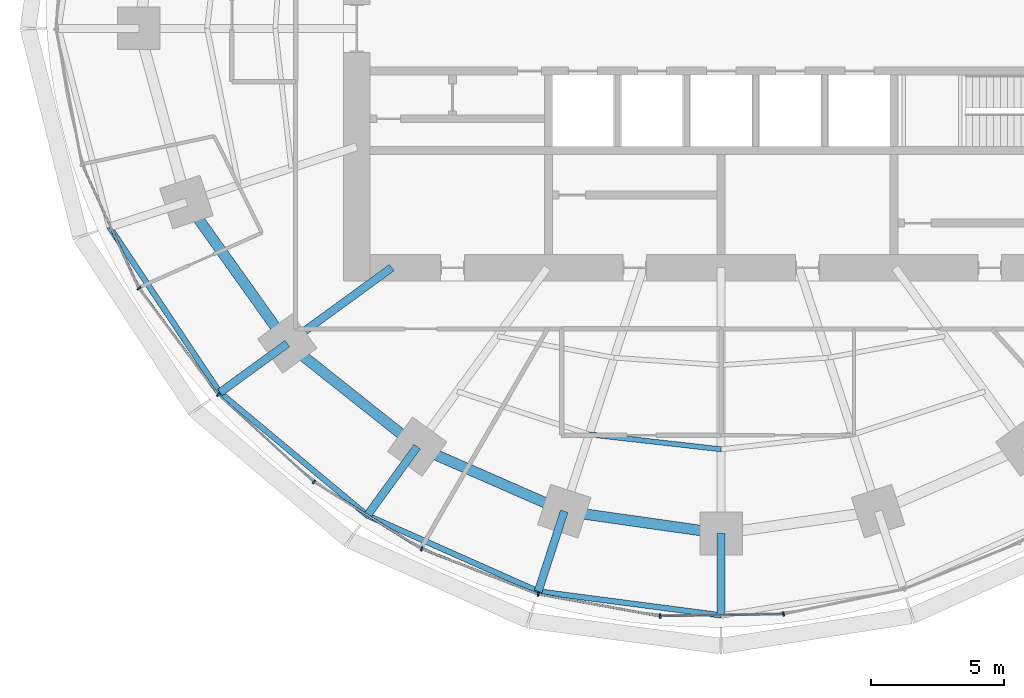
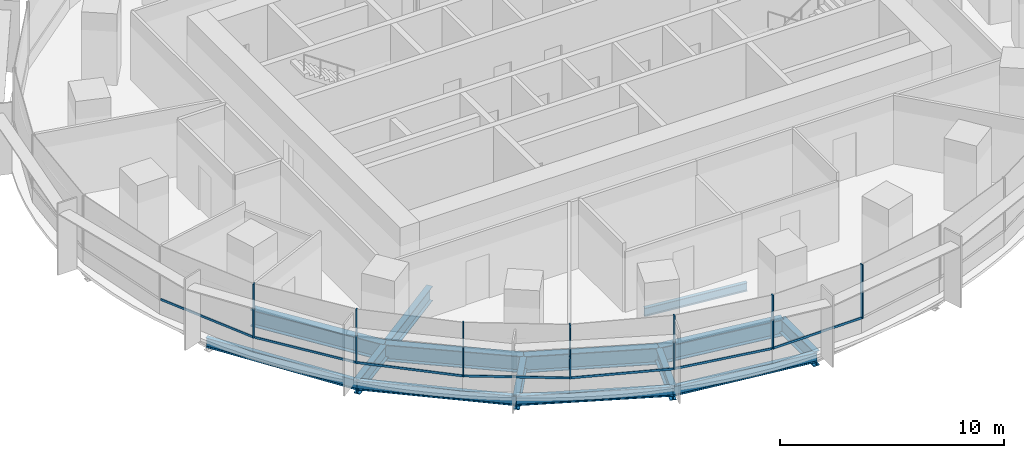
# One storey, part 2 of 14: 14 beams, 14 members, 2 elements without a shape of their own.
"""IFC4 building model written with IfcOpenShell, lengths in metres."""

from ifc_helpers import new_model, si_unit, direction, frame, origin, origin_2d, place, context, subcontext, project, spatial, rectangle, i_section, extrude, material, material_profile, profile_set, type_object, element, aggregate, save


model = new_model("IFC4")

# Units and contexts
model_context = context("Model", 3, precision=1e-05, world=origin(), true_north=direction((0.0, 1.0)))
body_context = subcontext(model_context, "Body", "Model", "MODEL_VIEW")
ifc_project = project(units=[si_unit("LENGTHUNIT", "METRE"), si_unit("AREAUNIT", "SQUARE_METRE"), si_unit("VOLUMEUNIT", "CUBIC_METRE"), si_unit("PLANEANGLEUNIT", "RADIAN"), si_unit("MASSUNIT", "GRAM", prefix="KILO")], contexts=[model_context])

# Site, building, storey
site_placement = place(None, origin())
site = spatial("IfcSite", under=ifc_project, at=site_placement, CompositionType="ELEMENT")
building_placement = place(site_placement, origin())
building = spatial("IfcBuilding", under=site, at=building_placement, Name="Marramba Exchange Tower", CompositionType="ELEMENT")
storey_placement = place(building_placement, frame((0.0, 0.0, 119.699951171875)))
storey = spatial("IfcBuildingStorey", under=building, at=storey_placement, Name="L28", CompositionType="ELEMENT", Elevation=119.699951171875)

# Beams
ifc_material_1 = material(Name="Steel AS/NZS 3679.2 grade 300", Category="steel")
ifc_material_profile_1 = material_profile(ifc_material_1, i_section(OverallWidth=0.300048828125, OverallDepth=0.800048828125, WebThickness=0.013916015625, FlangeThickness=0.031982421875, at=origin_2d()), Name="800WB192")
ifc_profile_set_1 = profile_set([ifc_material_profile_1], Name="Steel AS/NZS 3679.2 grade 300")
beam_type_1 = type_object("IfcBeamType", Name="Cantilever girder 800WB192", PredefinedType="BEAM", material=ifc_profile_set_1)
beam_1_placement = place(storey_placement, frame((-16.3154296875, -11.853759765625, -0.56005859375), z_axis=(-0.809025813822, -0.587773113173, 0.0), x_axis=(0.587773113173, -0.809025813822, 0.0)))
element("IfcBeam", 1, at=beam_1_placement, inside=storey, type_object=beam_type_1, Name="Cantilever girder L28 TC13", PredefinedType="BEAM", context=body_context, shape_type="SweptSolid", body=[
    extrude(i_section(OverallWidth=0.300048828125, OverallDepth=0.800048828125, WebThickness=0.013916015625, FlangeThickness=0.031982421875, at=origin_2d()), origin(), (0.0, 0.0, 1.0), 3.132568359375),
])
beam_2_placement = place(storey_placement, frame((-11.430419921875, -15.732666015625, -0.56005859375), z_axis=(-0.587767308424, -0.809030031054, 0.0), x_axis=(0.809030031054, -0.587767308424, 0.0)))
element("IfcBeam", 2, at=beam_2_placement, inside=storey, type_object=beam_type_1, Name="Cantilever girder L28 TC14", PredefinedType="BEAM", context=body_context, shape_type="SweptSolid", body=[
    extrude(i_section(OverallWidth=0.300048828125, OverallDepth=0.800048828125, WebThickness=0.013916015625, FlangeThickness=0.031982421875, at=origin_2d()), origin(), (0.0, 0.0, 1.0), 3.195556640625),
])
beam_3_placement = place(storey_placement, frame((-5.899658203125, -18.156982421875, -0.56005859375), z_axis=(-0.309018232614, -0.951056113966, 0.0), x_axis=(0.951056113966, -0.309018232614, 0.0)))
element("IfcBeam", 3, at=beam_3_placement, inside=storey, type_object=beam_type_1, Name="Cantilever girder L28 TC15", PredefinedType="BEAM", context=body_context, shape_type="SweptSolid", body=[
    extrude(i_section(OverallWidth=0.300048828125, OverallDepth=0.800048828125, WebThickness=0.013916015625, FlangeThickness=0.031982421875, at=origin_2d()), origin(), (0.0, 0.0, 1.0), 3.173583984375),
])
beam_4_placement = place(storey_placement, frame((0.0, -18.99609375, -0.56005859375), z_axis=(0.0, -1.0, 0.0), x_axis=(1.0, 0.0, 0.0)))
element("IfcBeam", 4, at=beam_4_placement, inside=storey, type_object=beam_type_1, Name="Cantilever girder L28 TC16", PredefinedType="BEAM", context=body_context, shape_type="SweptSolid", body=[
    extrude(i_section(OverallWidth=0.300048828125, OverallDepth=0.800048828125, WebThickness=0.013916015625, FlangeThickness=0.031982421875, at=origin_2d()), origin(), (0.0, 0.0, 1.0), 3.080810546875),
])
ifc_material_2 = material(Name="Steel AS/NZS 3679.1 grade 300", Category="steel")
ifc_material_profile_2 = material_profile(ifc_material_2, i_section(OverallWidth=0.18994140625, OverallDepth=0.4541015625, WebThickness=0.008544921875, FlangeThickness=0.0126953125, FilletRadius=0.011474609375, at=origin_2d()), Name="460UB67.1")
ifc_profile_set_2 = profile_set([ifc_material_profile_2], Name="Steel AS/NZS 3679.1 grade 300")
beam_type_2 = type_object("IfcBeamType", Name="Floor joist 460UB67.1", PredefinedType="JOIST", material=ifc_profile_set_2)
beam_5_placement = place(storey_placement, frame((-4.9619140625, -15.271484375, -0.386962890625), z_axis=(0.993712018573, -0.111966174106, 0.0), x_axis=(0.111966174106, 0.993712018573, 0.0)))
element("IfcBeam", 5, at=beam_5_placement, inside=storey, type_object=beam_type_2, Name="Joist L28 bay 15 row 2", PredefinedType="JOIST", context=body_context, shape_type="SweptSolid", body=[
    extrude(i_section(OverallWidth=0.18994140625, OverallDepth=0.4541015625, WebThickness=0.008544921875, FlangeThickness=0.0126953125, FilletRadius=0.011474609375, at=origin_2d()), origin(), (0.0, 0.0, 1.0), 4.993408203125),
])

# Curtain wall, members
ifc_material_3 = material(Name="Aluminium framing, bronze anodised", Category="aluminium")
curtain_wall_type = type_object("IfcCurtainWallType", Name="Office ribbon curtain wall", PredefinedType="USERDEFINED", material=ifc_material_3)
curtain_wall_1_placement = place(storey_placement, origin())
curtain_wall_1 = element("IfcCurtainWall", 6, at=curtain_wall_1_placement, inside=storey, type_object=curtain_wall_type, Name="Curtain wall CW4 L28 F16-F20", ObjectType="RIBBON CURTAIN WALL", PredefinedType="USERDEFINED")
ifc_material_4 = material(Name="Aluminium mullion, bronze anodised", Category="aluminium")
ifc_material_profile_3 = material_profile(ifc_material_4, rectangle(XDim=0.159912109375, YDim=0.06005859375, at=origin_2d()), Name="CW4 mullion 60x160")
ifc_profile_set_3 = profile_set([ifc_material_profile_3], Name="Aluminium mullion, bronze anodised")
member_type_1 = type_object("IfcMemberType", Name="Office ribbon curtain wall mullion", PredefinedType="MULLION", material=ifc_profile_set_3)
member_1_placement = place(storey_placement, frame((-21.891357421875, -9.778564453125, 0.800048828125), z_axis=(0.0, 0.0, 1.0), x_axis=(0.802014400683, 0.597304697033, 0.0)))
member_1 = element("IfcMember", 7, at=member_1_placement, type_object=member_type_1, Name="CW4 mullion 1", PredefinedType="MULLION", context=body_context, shape_type="SweptSolid", body=[
    extrude(rectangle(XDim=0.159912109375, YDim=0.06005859375, at=origin_2d()), origin(), (0.0, 0.0, 1.0), 2.93994140625),
])
member_2_placement = place(storey_placement, frame((-18.90869140625, -13.774169921875, 0.800048828125), z_axis=(0.0, 0.0, 1.0), x_axis=(0.674995455115, 0.737821886077, 0.0)))
member_2 = element("IfcMember", 8, at=member_2_placement, type_object=member_type_1, Name="CW4 mullion 1", PredefinedType="MULLION", context=body_context, shape_type="SweptSolid", body=[
    extrude(rectangle(XDim=0.159912109375, YDim=0.06005859375, at=origin_2d()), origin(), (0.0, 0.0, 1.0), 2.93994140625),
])
member_3_placement = place(storey_placement, frame((-15.315673828125, -17.053955078125, 0.800048828125), z_axis=(0.0, 0.0, 1.0), x_axis=(0.52942844364, 0.84835459748, 0.0)))
member_3 = element("IfcMember", 9, at=member_3_placement, type_object=member_type_1, Name="CW4 mullion 1", PredefinedType="MULLION", context=body_context, shape_type="SweptSolid", body=[
    extrude(rectangle(XDim=0.159912109375, YDim=0.06005859375, at=origin_2d()), origin(), (0.0, 0.0, 1.0), 2.93994140625),
])

curtain_wall_2_placement = place(storey_placement, origin())
curtain_wall_2 = element("IfcCurtainWall", 10, at=curtain_wall_2_placement, inside=storey, type_object=curtain_wall_type, Name="Curtain wall CW4 L28 F21-F25", ObjectType="RIBBON CURTAIN WALL", PredefinedType="USERDEFINED")
member_4_placement = place(storey_placement, frame((-11.266845703125, -19.573974609375, 0.800048828125), z_axis=(0.0, 0.0, 1.0), x_axis=(0.36292490603, 0.931818390344, 0.0)))
member_4 = element("IfcMember", 11, at=member_4_placement, type_object=member_type_1, Name="CW4 mullion 1", PredefinedType="MULLION", context=body_context, shape_type="SweptSolid", body=[
    extrude(rectangle(XDim=0.159912109375, YDim=0.06005859375, at=origin_2d()), origin(), (0.0, 0.0, 1.0), 2.93994140625),
])
member_5_placement = place(storey_placement, frame((-6.881591796875, -21.27587890625, 0.800048828125), z_axis=(0.0, 0.0, 1.0), x_axis=(0.177992379115, 0.984031865834, 0.0)))
member_5 = element("IfcMember", 12, at=member_5_placement, type_object=member_type_1, Name="CW4 mullion 1", PredefinedType="MULLION", context=body_context, shape_type="SweptSolid", body=[
    extrude(rectangle(XDim=0.159912109375, YDim=0.06005859375, at=origin_2d()), origin(), (0.0, 0.0, 1.0), 2.93994140625),
])
member_6_placement = place(storey_placement, frame((-2.292724609375, -22.099853515625, 0.800048828125), z_axis=(0.0, 0.0, 1.0), x_axis=(-0.015178646521, 0.999884797709, 0.0)))
member_6 = element("IfcMember", 13, at=member_6_placement, type_object=member_type_1, Name="CW4 mullion 1", PredefinedType="MULLION", context=body_context, shape_type="SweptSolid", body=[
    extrude(rectangle(XDim=0.159912109375, YDim=0.06005859375, at=origin_2d()), origin(), (0.0, 0.0, 1.0), 2.93994140625),
])
member_7_placement = place(storey_placement, frame((2.3447265625, -22.02392578125, 0.800048828125), z_axis=(0.0, 0.0, 1.0), x_axis=(-0.202364850159, 0.979310199794, 0.0)))
member_7 = element("IfcMember", 14, at=member_7_placement, type_object=member_type_1, Name="CW4 mullion 1", PredefinedType="MULLION", context=body_context, shape_type="SweptSolid", body=[
    extrude(rectangle(XDim=0.159912109375, YDim=0.06005859375, at=origin_2d()), origin(), (0.0, 0.0, 1.0), 2.93994140625),
])

# Member
ifc_material_5 = material(Name="Aluminium transom, bronze anodised", Category="aluminium")
ifc_material_profile_4 = material_profile(ifc_material_5, rectangle(XDim=0.06005859375, YDim=0.1201171875, at=origin_2d()), Name="CW4 transom 60x120")
ifc_profile_set_4 = profile_set([ifc_material_profile_4], Name="Aluminium transom, bronze anodised")
member_type_2 = type_object("IfcMemberType", Name="Office ribbon curtain wall transom", PredefinedType="USERDEFINED", material=ifc_profile_set_4)
member_8_placement = place(storey_placement, frame((-24.013671875, -5.1640625, 0.830078125), z_axis=(0.416732948599, -0.909028959688, 0.0), x_axis=(0.909028959688, 0.416732948599, 0.0)))
member_8 = element("IfcMember", 15, at=member_8_placement, type_object=member_type_2, Name="CW4 sill transom", ObjectType="TRANSOM", PredefinedType="USERDEFINED", context=body_context, shape_type="SweptSolid", body=[
    extrude(rectangle(XDim=0.06005859375, YDim=0.1201171875, at=origin_2d()), origin(), (0.0, 0.0, 1.0), 5.050048828125),
])

member_9_placement = place(storey_placement, frame((-21.873291015625, -9.802734375, 0.830078125), z_axis=(0.597300736643, -0.80201735019, 0.0), x_axis=(0.80201735019, 0.597300736643, 0.0)))
member_9 = element("IfcMember", 16, at=member_9_placement, type_object=member_type_2, Name="CW4 sill transom", ObjectType="TRANSOM", PredefinedType="USERDEFINED", context=body_context, shape_type="SweptSolid", body=[
    extrude(rectangle(XDim=0.06005859375, YDim=0.1201171875, at=origin_2d()), origin(), (0.0, 0.0, 1.0), 4.926513671875),
])

member_10_placement = place(storey_placement, frame((-18.886474609375, -13.79443359375, 0.830078125), z_axis=(0.737807565469, -0.675011108306, 0.0), x_axis=(0.675011108306, 0.737807565469, 0.0)))
member_10 = element("IfcMember", 17, at=member_10_placement, type_object=member_type_2, Name="CW4 sill transom", ObjectType="TRANSOM", PredefinedType="USERDEFINED", context=body_context, shape_type="SweptSolid", body=[
    extrude(rectangle(XDim=0.06005859375, YDim=0.1201171875, at=origin_2d()), origin(), (0.0, 0.0, 1.0), 4.805419921875),
])

member_11_placement = place(storey_placement, frame((-15.2900390625, -17.06982421875, 0.830078125), z_axis=(0.848373790728, -0.529397687193, 0.0), x_axis=(0.529397687193, 0.848373790728, 0.0)))
member_11 = element("IfcMember", 18, at=member_11_placement, type_object=member_type_2, Name="CW4 sill transom", ObjectType="TRANSOM", PredefinedType="USERDEFINED", context=body_context, shape_type="SweptSolid", body=[
    extrude(rectangle(XDim=0.06005859375, YDim=0.1201171875, at=origin_2d()), origin(), (0.0, 0.0, 1.0), 4.70947265625),
])

aggregate(curtain_wall_1, [member_8, member_1, member_9, member_2, member_10, member_3, member_11])

member_12_placement = place(storey_placement, frame((-11.23876953125, -19.5849609375, 0.830078125), z_axis=(0.931817106708, -0.362928201778, 0.0), x_axis=(0.362928201778, 0.931817106708, 0.0)))
member_12 = element("IfcMember", 19, at=member_12_placement, type_object=member_type_2, Name="CW4 sill transom", ObjectType="TRANSOM", PredefinedType="USERDEFINED", context=body_context, shape_type="SweptSolid", body=[
    extrude(rectangle(XDim=0.06005859375, YDim=0.1201171875, at=origin_2d()), origin(), (0.0, 0.0, 1.0), 4.644287109375),
])

member_13_placement = place(storey_placement, frame((-6.85205078125, -21.281005859375, 0.830078125), z_axis=(0.98402906811, -0.178007845654, 0.0), x_axis=(0.178007845654, 0.98402906811, 0.0)))
member_13 = element("IfcMember", 20, at=member_13_placement, type_object=member_type_2, Name="CW4 sill transom", ObjectType="TRANSOM", PredefinedType="USERDEFINED", context=body_context, shape_type="SweptSolid", body=[
    extrude(rectangle(XDim=0.06005859375, YDim=0.1201171875, at=origin_2d()), origin(), (0.0, 0.0, 1.0), 4.602783203125),
])

member_14_placement = place(storey_placement, frame((-2.262939453125, -22.099365234375, 0.830078125), z_axis=(0.999885345665, 0.015142507235, 0.0), x_axis=(-0.015142507235, 0.999885345665, 0.0)))
member_14 = element("IfcMember", 21, at=member_14_placement, type_object=member_type_2, Name="CW4 sill transom", ObjectType="TRANSOM", PredefinedType="USERDEFINED", context=body_context, shape_type="SweptSolid", body=[
    extrude(rectangle(XDim=0.06005859375, YDim=0.1201171875, at=origin_2d()), origin(), (0.0, 0.0, 1.0), 4.578857421875),
])

aggregate(curtain_wall_2, [member_4, member_12, member_5, member_13, member_6, member_14, member_7])

# Beams
ifc_material_profile_5 = material_profile(ifc_material_1, i_section(OverallWidth=0.300048828125, OverallDepth=0.800048828125, WebThickness=0.013916015625, FlangeThickness=0.031982421875, at=origin_2d()), Name="800WB192")
ifc_profile_set_5 = profile_set([ifc_material_profile_5], Name="Steel AS/NZS 3679.2 grade 300")
beam_type_3 = type_object("IfcBeamType", Name="Radial girder 800WB192", PredefinedType="BEAM", material=ifc_profile_set_5)
beam_6_placement = place(storey_placement, frame((-12.387451171875, -9.0, -0.56005859375), z_axis=(-0.809025189606, -0.58777397236, 0.0), x_axis=(0.58777397236, -0.809025189606, 0.0)))
element("IfcBeam", 22, at=beam_6_placement, inside=storey, type_object=beam_type_3, Name="Radial girder L28 TC13", PredefinedType="BEAM", context=body_context, shape_type="SweptSolid", body=[
    extrude(i_section(OverallWidth=0.300048828125, OverallDepth=0.800048828125, WebThickness=0.013916015625, FlangeThickness=0.031982421875, at=origin_2d()), origin(), (0.0, 0.0, 1.0), 4.855224609375),
])
ifc_material_profile_6 = material_profile(ifc_material_1, i_section(OverallWidth=0.39990234375, OverallDepth=0.89990234375, WebThickness=0.01611328125, FlangeThickness=0.031982421875, at=origin_2d()), Name="900WB282")
ifc_profile_set_6 = profile_set([ifc_material_profile_6], Name="Steel AS/NZS 3679.2 grade 300")
beam_type_4 = type_object("IfcBeamType", Name="Ring beam 900WB282", PredefinedType="SPANDREL", material=ifc_profile_set_6)
beam_7_placement = place(storey_placement, frame((-20.109375, -6.533935546875, -0.60986328125), z_axis=(0.580637181111, -0.814162430914, 0.0), x_axis=(0.814162430914, 0.580637181111, 0.0)))
element("IfcBeam", 23, at=beam_7_placement, inside=storey, type_object=beam_type_4, Name="Ring beam L28 TC12-TC13", PredefinedType="SPANDREL", context=body_context, shape_type="SweptSolid", body=[
    extrude(i_section(OverallWidth=0.39990234375, OverallDepth=0.89990234375, WebThickness=0.01611328125, FlangeThickness=0.031982421875, at=origin_2d()), origin(), (0.0, 0.0, 1.0), 6.5341796875),
])
beam_8_placement = place(storey_placement, frame((-16.3154296875, -11.853759765625, -0.60986328125), z_axis=(0.783139438128, -0.621846138887, 0.0), x_axis=(0.621846138887, 0.783139438128, 0.0)))
element("IfcBeam", 24, at=beam_8_placement, inside=storey, type_object=beam_type_4, Name="Ring beam L28 TC13-TC14", PredefinedType="SPANDREL", context=body_context, shape_type="SweptSolid", body=[
    extrude(i_section(OverallWidth=0.39990234375, OverallDepth=0.89990234375, WebThickness=0.01611328125, FlangeThickness=0.031982421875, at=origin_2d()), origin(), (0.0, 0.0, 1.0), 6.23779296875),
])
beam_9_placement = place(storey_placement, frame((-11.430419921875, -15.732666015625, -0.60986328125), z_axis=(0.915876892158, -0.4014592363, 0.0), x_axis=(0.4014592363, 0.915876892158, 0.0)))
element("IfcBeam", 25, at=beam_9_placement, inside=storey, type_object=beam_type_4, Name="Ring beam L28 TC14-TC15", PredefinedType="SPANDREL", context=body_context, shape_type="SweptSolid", body=[
    extrude(i_section(OverallWidth=0.39990234375, OverallDepth=0.89990234375, WebThickness=0.01611328125, FlangeThickness=0.031982421875, at=origin_2d()), origin(), (0.0, 0.0, 1.0), 6.038818359375),
])
beam_10_placement = place(storey_placement, frame((-5.899658203125, -18.156982421875, -0.60986328125), z_axis=(0.990036163016, -0.140813337152, 0.0), x_axis=(0.140813337152, 0.990036163016, 0.0)))
element("IfcBeam", 26, at=beam_10_placement, inside=storey, type_object=beam_type_4, Name="Ring beam L28 TC15-TC16", PredefinedType="SPANDREL", context=body_context, shape_type="SweptSolid", body=[
    extrude(i_section(OverallWidth=0.39990234375, OverallDepth=0.89990234375, WebThickness=0.01611328125, FlangeThickness=0.031982421875, at=origin_2d()), origin(), (0.0, 0.0, 1.0), 5.958984375),
])
ifc_material_profile_7 = material_profile(ifc_material_2, i_section(OverallWidth=0.208984375, OverallDepth=0.528076171875, WebThickness=0.009521484375, FlangeThickness=0.01318359375, FilletRadius=0.013916015625, at=origin_2d()), Name="530UB82.0")
ifc_profile_set_7 = profile_set([ifc_material_profile_7], Name="Steel AS/NZS 3679.1 grade 300")
beam_type_5 = type_object("IfcBeamType", Name="Slab edge beam 530UB82.0", PredefinedType="SPANDREL", material=ifc_profile_set_7)
beam_11_placement = place(storey_placement, frame((-23.00341796875, -7.47412109375, -0.424072265625), z_axis=(0.555280023791, -0.831663450669, 0.0), x_axis=(0.831663450669, 0.555280023791, 0.0)))
element("IfcBeam", 27, at=beam_11_placement, inside=storey, type_object=beam_type_5, Name="Slab edge beam L28 TC12-TC13", PredefinedType="SPANDREL", context=body_context, shape_type="SweptSolid", body=[
    extrude(i_section(OverallWidth=0.208984375, OverallDepth=0.528076171875, WebThickness=0.009521484375, FlangeThickness=0.01318359375, FilletRadius=0.013916015625, at=origin_2d()), origin(), (0.0, 0.0, 1.0), 7.480224609375),
])
beam_12_placement = place(storey_placement, frame((-18.849853515625, -13.695068359375, -0.424072265625), z_axis=(0.767874532322, -0.640600267415, 0.0), x_axis=(0.640600267415, 0.767874532322, 0.0)))
element("IfcBeam", 28, at=beam_12_placement, inside=storey, type_object=beam_type_5, Name="Slab edge beam L28 TC13-TC14", PredefinedType="SPANDREL", context=body_context, shape_type="SweptSolid", body=[
    extrude(i_section(OverallWidth=0.208984375, OverallDepth=0.528076171875, WebThickness=0.009521484375, FlangeThickness=0.01318359375, FilletRadius=0.013916015625, at=origin_2d()), origin(), (0.0, 0.0, 1.0), 7.21630859375),
])
beam_13_placement = place(storey_placement, frame((-13.30859375, -18.31787109375, -0.424072265625), z_axis=(0.913788648873, -0.406189986571, 0.0), x_axis=(0.406189986571, 0.913788648873, 0.0)))
element("IfcBeam", 29, at=beam_13_placement, inside=storey, type_object=beam_type_5, Name="Slab edge beam L28 TC14-TC15", PredefinedType="SPANDREL", context=body_context, shape_type="SweptSolid", body=[
    extrude(i_section(OverallWidth=0.208984375, OverallDepth=0.528076171875, WebThickness=0.009521484375, FlangeThickness=0.01318359375, FilletRadius=0.013916015625, at=origin_2d()), origin(), (0.0, 0.0, 1.0), 7.03466796875),
])
beam_14_placement = place(storey_placement, frame((-6.88037109375, -21.17529296875, -0.424072265625), z_axis=(0.991523133546, -0.129930272237, 0.0), x_axis=(0.129930272237, 0.991523133546, 0.0)))
element("IfcBeam", 30, at=beam_14_placement, inside=storey, type_object=beam_type_5, Name="Slab edge beam L28 TC15-TC16", PredefinedType="SPANDREL", context=body_context, shape_type="SweptSolid", body=[
    extrude(i_section(OverallWidth=0.208984375, OverallDepth=0.528076171875, WebThickness=0.009521484375, FlangeThickness=0.01318359375, FilletRadius=0.013916015625, at=origin_2d()), origin(), (0.0, 0.0, 1.0), 6.939208984375),
])

save(model, "model.ifc")
